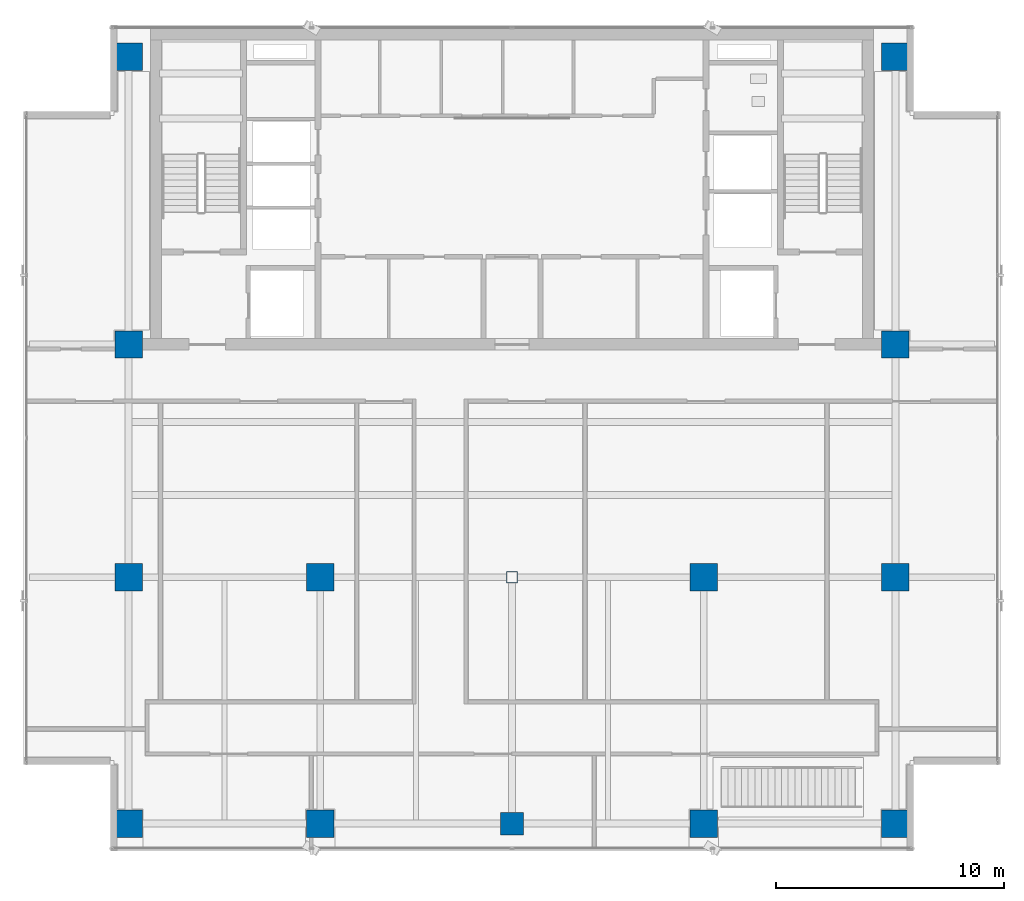
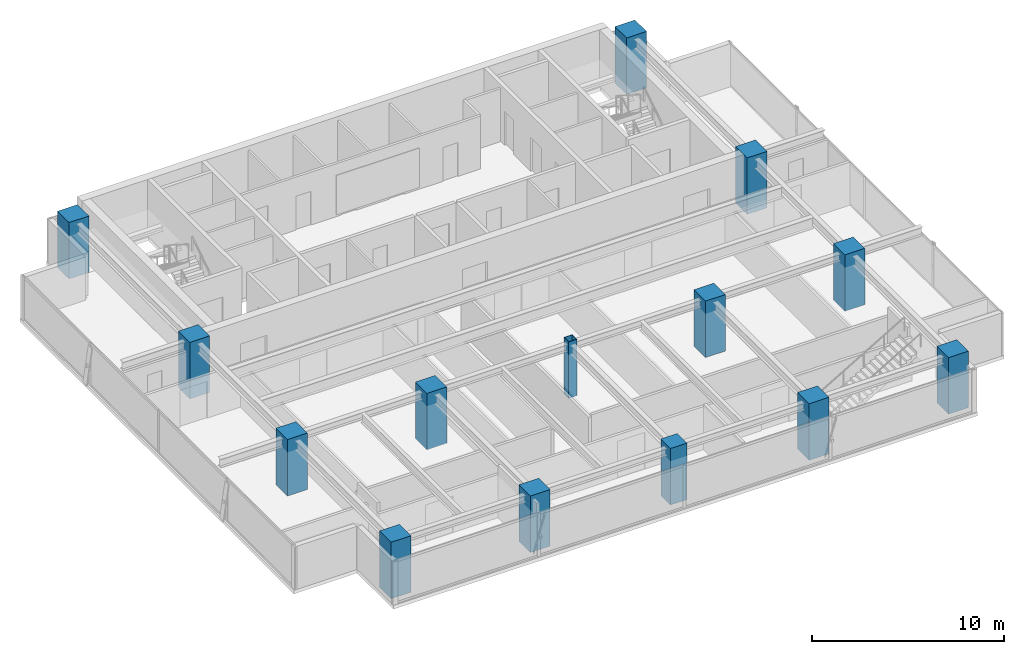
# One storey, part 1 of 22: 14 columns.
"""IFC4 building model written with IfcOpenShell, lengths in metres."""

from ifc_helpers import new_model, si_unit, direction, frame, origin, origin_with_axes, origin_2d, place, context, subcontext, project, spatial, rectangle, hollow_rectangle, extrude, source, transform, mapped, material, material_profile, profile_set, type_object, element, save


model = new_model("IFC4")

# Units and contexts
model_context = context("Model", 3, precision=1e-05, world=origin(), true_north=direction((0.0, 1.0)))
body_context = subcontext(model_context, "Body", "Model", "MODEL_VIEW")
ifc_project = project(units=[si_unit("LENGTHUNIT", "METRE"), si_unit("AREAUNIT", "SQUARE_METRE"), si_unit("VOLUMEUNIT", "CUBIC_METRE"), si_unit("PLANEANGLEUNIT", "RADIAN"), si_unit("MASSUNIT", "GRAM", prefix="KILO")], contexts=[model_context])

# Site, building, storey
site_placement = place(None, origin())
site = spatial("IfcSite", under=ifc_project, at=site_placement, CompositionType="ELEMENT")
building_placement = place(site_placement, origin())
building = spatial("IfcBuilding", under=site, at=building_placement, Name="Sumidabori Civic Tower", CompositionType="ELEMENT")
storey_placement = place(building_placement, frame((0.0, 0.0, 286.39990234375)))
storey = spatial("IfcBuildingStorey", under=building, at=storey_placement, Name="L75", CompositionType="ELEMENT", Elevation=286.39990234375)

# Columns
ifc_material_1 = material(Name="Concrete C50/60", Category="concrete")
ifc_material_profile_1 = material_profile(ifc_material_1, rectangle(XDim=1.0, YDim=1.0, at=origin_2d()), Name="RC 1000x1000")
ifc_profile_set_1 = profile_set([ifc_material_profile_1], Name="Concrete C50/60")
column_type_1 = type_object("IfcColumnType", Name="CL-INT-1000", PredefinedType="COLUMN", material=ifc_profile_set_1)
shared_shape_1 = source(origin(), body_context, "Body", "SweptSolid", [
    extrude(rectangle(XDim=1.0, YDim=1.0, at=origin_2d()), origin(), (0.0, 0.0, 1.0), 3.60009765625),
])
column_1_placement = place(storey_placement, frame((0.0, -10.800048828125, 0.0), z_axis=(0.0, 0.0, 1.0), x_axis=(1.0, 0.0, 0.0)))
element("IfcColumn", 1, at=column_1_placement, inside=storey, type_object=column_type_1, Name="Column MC-C00-Y11S L75", PredefinedType="COLUMN", context=body_context, shape_type="MappedRepresentation", body=[
    mapped(shared_shape_1, transform((0.0, 0.0, 0.0), x_axis=(1.0, 0.0, 0.0), y_axis=(0.0, 1.0, 0.0), z_axis=(0.0, 0.0, 1.0), scale=1.0)),
])
ifc_material_profile_2 = material_profile(ifc_material_1, rectangle(XDim=1.199951171875, YDim=1.199951171875, at=origin_2d()), Name="RC 1200x1200")
ifc_profile_set_2 = profile_set([ifc_material_profile_2], Name="Concrete C50/60")
column_type_2 = type_object("IfcColumnType", Name="CL-MEGA-1200", PredefinedType="COLUMN", material=ifc_profile_set_2)
shared_shape_2 = source(origin(), body_context, "Body", "SweptSolid", [
    extrude(rectangle(XDim=1.199951171875, YDim=1.199951171875, at=origin_2d()), origin(), (0.0, 0.0, 1.0), 3.60009765625),
])
for number, where, z_axis, x_axis, name in (
    (2, (-16.800048828125, -10.800048828125, 0.0), (0.0, 0.0, 1.0), (1.0, 0.0, 0.0), "Column MC-W16-Y11S L75"),
    (3, (-16.800048828125, 0.0, 0.0), (0.0, 0.0, 1.0), (1.0, 0.0, 0.0), "Column MC-W16-Y00 L75"),
    (4, (-16.800048828125, 10.199951171875, 0.0), (0.0, 0.0, 1.0), (1.0, 0.0, 0.0), "Column MC-W16-Y10N L75"),
    (5, (-16.800048828125, 22.800048828125, 0.0), (0.0, 0.0, 1.0), (1.0, 0.0, 0.0), "Column MC-W16-Y23N L75"),
    (6, (16.800048828125, -10.800048828125, 0.0), (0.0, 0.0, 1.0), (1.0, 0.0, 0.0), "Column MC-E16-Y11S L75"),
    (7, (16.800048828125, 0.0, 0.0), (0.0, 0.0, 1.0), (1.0, 0.0, 0.0), "Column MC-E16-Y00 L75"),
    (8, (16.800048828125, 10.199951171875, 0.0), (0.0, 0.0, 1.0), (1.0, 0.0, 0.0), "Column MC-E16-Y10N L75"),
    (9, (16.800048828125, 22.800048828125, 0.0), (0.0, 0.0, 1.0), (1.0, 0.0, 0.0), "Column MC-E16-Y23N L75"),
    (10, (-8.39990234375, 0.0, 0.0), (0.0, 0.0, 1.0), (1.0, 0.0, 0.0), "Column MC-W08-Y00 L75"),
    (11, (-8.39990234375, -10.800048828125, 0.0), (0.0, 0.0, 1.0), (1.0, 0.0, 0.0), "Column MC-W08-Y11S L75"),
    (12, (8.39990234375, 0.0, 0.0), (0.0, 0.0, 1.0), (1.0, 0.0, 0.0), "Column MC-E08-Y00 L75"),
    (13, (8.39990234375, -10.800048828125, 0.0), (0.0, 0.0, 1.0), (1.0, 0.0, 0.0), "Column MC-E08-Y11S L75"),
):
    element("IfcColumn", number, at=place(storey_placement, frame(where, z_axis=z_axis, x_axis=x_axis)), inside=storey, type_object=column_type_2, Name=name, PredefinedType="COLUMN", context=body_context, shape_type="MappedRepresentation", body=[
        mapped(shared_shape_2, transform((0.0, 0.0, 0.0), x_axis=(1.0, 0.0, 0.0), y_axis=(0.0, 1.0, 0.0), z_axis=(0.0, 0.0, 1.0), scale=1.0)),
    ])
ifc_material_2 = material(Name="Steel SN490", Category="steel")
ifc_material_profile_3 = material_profile(ifc_material_2, hollow_rectangle(XDim=0.5, YDim=0.5, WallThickness=0.02490234375, at=origin_2d()), Name="SHS 500x500x25")
ifc_profile_set_3 = profile_set([ifc_material_profile_3], Name="Steel SN490")
column_type_3 = type_object("IfcColumnType", Name="CL-CRN-SHS500", PredefinedType="COLUMN", material=ifc_profile_set_3)
shared_shape_3 = source(origin(), body_context, "Body", "SweptSolid", [
    extrude(hollow_rectangle(XDim=0.5, YDim=0.5, WallThickness=0.02490234375, at=origin_2d()), origin(), (0.0, 0.0, 1.0), 3.60009765625),
])
column_2_placement = place(storey_placement, origin_with_axes())
element("IfcColumn", 14, at=column_2_placement, inside=storey, type_object=column_type_3, Name="Column MC-C00-Y00 L75", PredefinedType="COLUMN", context=body_context, shape_type="MappedRepresentation", body=[
    mapped(shared_shape_3, transform((0.0, 0.0, 0.0), x_axis=(1.0, 0.0, 0.0), y_axis=(0.0, 1.0, 0.0), z_axis=(0.0, 0.0, 1.0), scale=1.0)),
])

save(model, "model.ifc")
